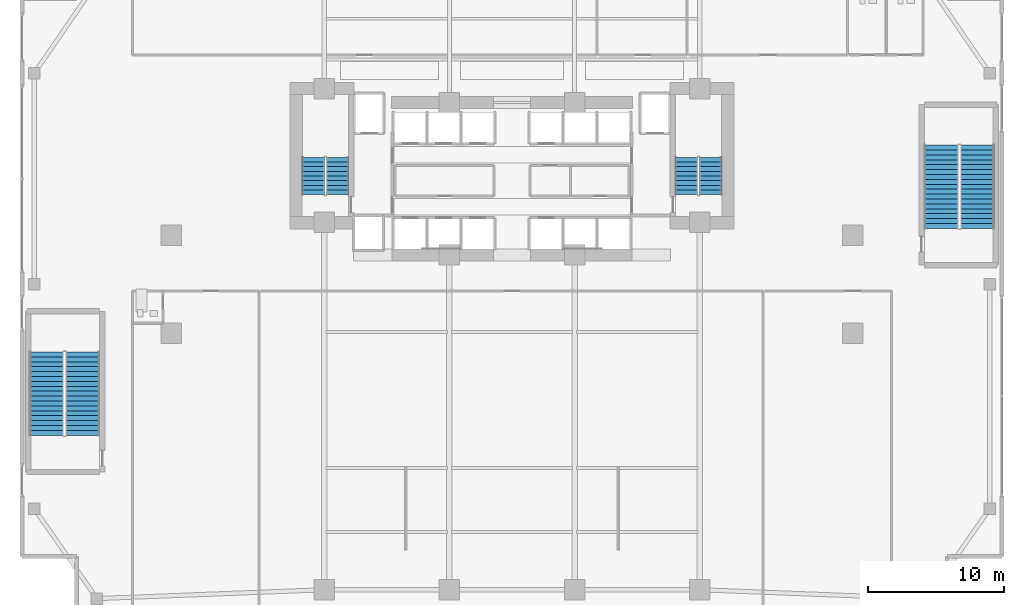
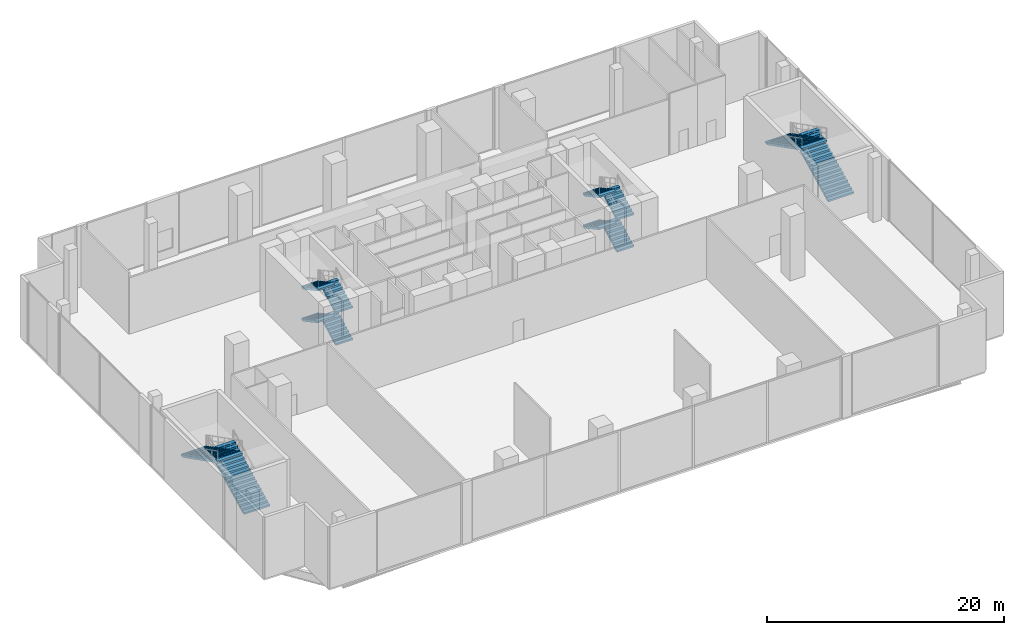
# One storey, part 26 of 30: 12 stair flights, 4 elements without a shape of their own.
"""IFC4 building model written with IfcOpenShell, lengths in metres."""

from ifc_helpers import new_model, si_unit, direction, frame, origin, place, context, subcontext, project, spatial, polyline, outline, extrude, material, layer, layer_set, type_object, element, aggregate, save


model = new_model("IFC4")

# Units and contexts
model_context = context("Model", 3, precision=1e-05, world=origin(), true_north=direction((0.0, 1.0)))
body_context = subcontext(model_context, "Body", "Model", "MODEL_VIEW")
ifc_project = project(units=[si_unit("LENGTHUNIT", "METRE"), si_unit("AREAUNIT", "SQUARE_METRE"), si_unit("VOLUMEUNIT", "CUBIC_METRE"), si_unit("PLANEANGLEUNIT", "RADIAN"), si_unit("MASSUNIT", "GRAM", prefix="KILO")], contexts=[model_context])

# Site, building, storey
site_placement = place(None, origin())
site = spatial("IfcSite", under=ifc_project, at=site_placement, CompositionType="ELEMENT")
building_placement = place(site_placement, origin())
building = spatial("IfcBuilding", under=site, at=building_placement, Name="Zuhayl Quay Hotel", CompositionType="ELEMENT")
storey_placement = place(building_placement, frame((0.0, 0.0, 11.39990234375)))
storey = spatial("IfcBuildingStorey", under=building, at=storey_placement, Name="L02", CompositionType="ELEMENT", Elevation=11.39990234375)

# Stair, stair flights
ifc_material = material(Name="Concrete C45/55", Category="concrete")
stair_type_1 = type_object("IfcStairType", Name="ST_DOGLEG_PODIUM", PredefinedType="HALF_TURN_STAIR", material=ifc_material)
stair_1_placement = place(storey_placement, origin())
stair_1 = element("IfcStair", 1, at=stair_1_placement, inside=storey, type_object=stair_type_1, Name="L02 Smokeproof Exit Stair ST3", PredefinedType="HALF_TURN_STAIR")
ifc_layer_1 = layer(ifc_material, 0.159912109375, Name="Concrete C45/55", Category="concrete")
ifc_layer_set_1 = layer_set([ifc_layer_1], Name="Concrete C45/55")
stair_flight_type_1 = type_object("IfcStairFlightType", Name="SF_CONC_160", PredefinedType="STRAIGHT", material=ifc_layer_set_1)
stair_flight_1_placement = place(storey_placement, frame((-31.550048828125, -11.10009765625, 0.0), z_axis=(0.0, 0.0, 1.0), x_axis=(0.0, 1.0, 0.0)))
stair_flight_1 = element("IfcStairFlight", 2, at=stair_flight_1_placement, type_object=stair_flight_type_1, Name="ST3 flight 1", NumberOfRisers=18, NumberOfTreads=17, PredefinedType="STRAIGHT", RiserHeight=0.183333333, TreadLength=0.36, context=body_context, shape_type="SweptSolid", body=[
    extrude(outline(polyline([(0.0, 0.0), (0.0, 0.183349609375), (0.360107421875, 0.183349609375), (0.360107421875, 0.36669921875), (0.719970703125, 0.36669921875), (0.719970703125, 0.550048828125), (1.080078125, 0.550048828125), (1.080078125, 0.7333984375), (1.43994140625, 0.7333984375), (1.43994140625, 0.916748046875), (1.800048828125, 0.916748046875), (1.800048828125, 1.10009765625), (2.159912109375, 1.10009765625), (2.159912109375, 1.283447265625), (2.52001953125, 1.283447265625), (2.52001953125, 1.466552734375), (2.8798828125, 1.466552734375), (2.8798828125, 1.64990234375), (3.239990234375, 1.64990234375), (3.239990234375, 1.833251953125), (3.60009765625, 1.833251953125), (3.60009765625, 2.0166015625), (3.9599609375, 2.0166015625), (3.9599609375, 2.199951171875), (4.320068359375, 2.199951171875), (4.320068359375, 2.38330078125), (4.679931640625, 2.38330078125), (4.679931640625, 2.566650390625), (5.0400390625, 2.566650390625), (5.0400390625, 2.75), (5.39990234375, 2.75), (5.39990234375, 2.933349609375), (5.760009765625, 2.933349609375), (5.760009765625, 3.11669921875), (6.1201171875, 3.11669921875), (6.1201171875, 3.300048828125), (6.1201171875, 2.948486328125), (0.330322265625, 0.0), (0.0, 0.0)])), frame((0.0, 1.25, 0.0), z_axis=(0.0, -1.0, 0.0), x_axis=(1.0, 0.0, 0.0)), (0.0, 0.0, 1.0), 2.5),
])
stair_flight_2_placement = place(storey_placement, frame((-34.199951171875, -4.97998046875, 3.300048828125), z_axis=(0.0, 0.0, 1.0), x_axis=(0.0, -1.0, 0.0)))
stair_flight_2 = element("IfcStairFlight", 3, at=stair_flight_2_placement, type_object=stair_flight_type_1, Name="ST3 flight 2", NumberOfRisers=18, NumberOfTreads=17, PredefinedType="STRAIGHT", RiserHeight=0.183333333, TreadLength=0.36, context=body_context, shape_type="SweptSolid", body=[
    extrude(outline(polyline([(0.0, 0.0), (0.0, 0.183349609375), (0.360107421875, 0.183349609375), (0.360107421875, 0.36669921875), (0.719970703125, 0.36669921875), (0.719970703125, 0.550048828125), (1.080078125, 0.550048828125), (1.080078125, 0.7333984375), (1.43994140625, 0.7333984375), (1.43994140625, 0.916748046875), (1.800048828125, 0.916748046875), (1.800048828125, 1.10009765625), (2.159912109375, 1.10009765625), (2.159912109375, 1.283447265625), (2.52001953125, 1.283447265625), (2.52001953125, 1.466552734375), (2.8798828125, 1.466552734375), (2.8798828125, 1.64990234375), (3.239990234375, 1.64990234375), (3.239990234375, 1.833251953125), (3.60009765625, 1.833251953125), (3.60009765625, 2.0166015625), (3.9599609375, 2.0166015625), (3.9599609375, 2.199951171875), (4.320068359375, 2.199951171875), (4.320068359375, 2.38330078125), (4.679931640625, 2.38330078125), (4.679931640625, 2.566650390625), (5.0400390625, 2.566650390625), (5.0400390625, 2.75), (5.39990234375, 2.75), (5.39990234375, 2.933349609375), (5.760009765625, 2.933349609375), (5.760009765625, 3.11669921875), (6.1201171875, 3.11669921875), (6.1201171875, 3.300048828125), (6.1201171875, 2.948486328125), (0.330322265625, 0.0), (0.0, 0.0)])), frame((0.0, 1.25, 0.0), z_axis=(0.0, -1.0, 0.0), x_axis=(1.0, 0.0, 0.0)), (0.0, 0.0, 1.0), 2.5),
])
aggregate(stair_1, [stair_flight_1, stair_flight_2])

stair_2_placement = place(storey_placement, origin())
stair_2 = element("IfcStair", 4, at=stair_2_placement, inside=storey, type_object=stair_type_1, Name="L02 Smokeproof Exit Stair ST4", PredefinedType="HALF_TURN_STAIR")
stair_flight_3_placement = place(storey_placement, frame((34.199951171875, 4.10009765625, 0.0), z_axis=(0.0, 0.0, 1.0), x_axis=(0.0, 1.0, 0.0)))
stair_flight_3 = element("IfcStairFlight", 5, at=stair_flight_3_placement, type_object=stair_flight_type_1, Name="ST4 flight 1", NumberOfRisers=18, NumberOfTreads=17, PredefinedType="STRAIGHT", RiserHeight=0.183333333, TreadLength=0.36, context=body_context, shape_type="SweptSolid", body=[
    extrude(outline(polyline([(0.0, 0.0), (0.0, 0.183349609375), (0.360107421875, 0.183349609375), (0.360107421875, 0.36669921875), (0.719970703125, 0.36669921875), (0.719970703125, 0.550048828125), (1.080078125, 0.550048828125), (1.080078125, 0.7333984375), (1.43994140625, 0.7333984375), (1.43994140625, 0.916748046875), (1.800048828125, 0.916748046875), (1.800048828125, 1.10009765625), (2.159912109375, 1.10009765625), (2.159912109375, 1.283447265625), (2.52001953125, 1.283447265625), (2.52001953125, 1.466552734375), (2.8798828125, 1.466552734375), (2.8798828125, 1.64990234375), (3.239990234375, 1.64990234375), (3.239990234375, 1.833251953125), (3.60009765625, 1.833251953125), (3.60009765625, 2.0166015625), (3.9599609375, 2.0166015625), (3.9599609375, 2.199951171875), (4.320068359375, 2.199951171875), (4.320068359375, 2.38330078125), (4.679931640625, 2.38330078125), (4.679931640625, 2.566650390625), (5.0400390625, 2.566650390625), (5.0400390625, 2.75), (5.39990234375, 2.75), (5.39990234375, 2.933349609375), (5.760009765625, 2.933349609375), (5.760009765625, 3.11669921875), (6.1201171875, 3.11669921875), (6.1201171875, 3.300048828125), (6.1201171875, 2.948486328125), (0.330322265625, 0.0), (0.0, 0.0)])), frame((0.0, 1.25, 0.0), z_axis=(0.0, -1.0, 0.0), x_axis=(1.0, 0.0, 0.0)), (0.0, 0.0, 1.0), 2.5),
])
stair_flight_4_placement = place(storey_placement, frame((31.550048828125, 10.219970703125, 3.300048828125), z_axis=(0.0, 0.0, 1.0), x_axis=(0.0, -1.0, 0.0)))
stair_flight_4 = element("IfcStairFlight", 6, at=stair_flight_4_placement, type_object=stair_flight_type_1, Name="ST4 flight 2", NumberOfRisers=18, NumberOfTreads=17, PredefinedType="STRAIGHT", RiserHeight=0.183333333, TreadLength=0.36, context=body_context, shape_type="SweptSolid", body=[
    extrude(outline(polyline([(0.0, 0.0), (0.0, 0.183349609375), (0.360107421875, 0.183349609375), (0.360107421875, 0.36669921875), (0.719970703125, 0.36669921875), (0.719970703125, 0.550048828125), (1.080078125, 0.550048828125), (1.080078125, 0.7333984375), (1.43994140625, 0.7333984375), (1.43994140625, 0.916748046875), (1.800048828125, 0.916748046875), (1.800048828125, 1.10009765625), (2.159912109375, 1.10009765625), (2.159912109375, 1.283447265625), (2.52001953125, 1.283447265625), (2.52001953125, 1.466552734375), (2.8798828125, 1.466552734375), (2.8798828125, 1.64990234375), (3.239990234375, 1.64990234375), (3.239990234375, 1.833251953125), (3.60009765625, 1.833251953125), (3.60009765625, 2.0166015625), (3.9599609375, 2.0166015625), (3.9599609375, 2.199951171875), (4.320068359375, 2.199951171875), (4.320068359375, 2.38330078125), (4.679931640625, 2.38330078125), (4.679931640625, 2.566650390625), (5.0400390625, 2.566650390625), (5.0400390625, 2.75), (5.39990234375, 2.75), (5.39990234375, 2.933349609375), (5.760009765625, 2.933349609375), (5.760009765625, 3.11669921875), (6.1201171875, 3.11669921875), (6.1201171875, 3.300048828125), (6.1201171875, 2.948486328125), (0.330322265625, 0.0), (0.0, 0.0)])), frame((0.0, 1.25, 0.0), z_axis=(0.0, -1.0, 0.0), x_axis=(1.0, 0.0, 0.0)), (0.0, 0.0, 1.0), 2.5),
])
aggregate(stair_2, [stair_flight_3, stair_flight_4])

stair_type_2 = type_object("IfcStairType", Name="ST_DOGLEG_TOWER", PredefinedType="HALF_TURN_STAIR", material=ifc_material)
stair_3_placement = place(storey_placement, origin())
stair_3 = element("IfcStair", 7, at=stair_3_placement, inside=storey, type_object=stair_type_2, Name="L02 Smokeproof Exit Stair ST1", PredefinedType="HALF_TURN_STAIR")
ifc_layer_2 = layer(ifc_material, 0.159912109375, Name="Concrete C45/55", Category="concrete")
ifc_layer_set_2 = layer_set([ifc_layer_2], Name="Concrete C45/55")
stair_flight_type_2 = type_object("IfcStairFlightType", Name="SF_CONC_164", PredefinedType="STRAIGHT", material=ifc_layer_set_2)
stair_flight_5_placement = place(storey_placement, frame((-12.820068359375, 6.590087890625, 0.0), z_axis=(0.0, 0.0, 1.0), x_axis=(0.0, 1.0, 0.0)))
stair_flight_5 = element("IfcStairFlight", 8, at=stair_flight_5_placement, type_object=stair_flight_type_2, Name="ST1 flight 1", NumberOfRisers=9, NumberOfTreads=8, PredefinedType="STRAIGHT", RiserHeight=0.183333333, TreadLength=0.34, context=body_context, shape_type="SweptSolid", body=[
    extrude(outline(polyline([(0.0, 0.0), (0.0, 0.183349609375), (0.340087890625, 0.183349609375), (0.340087890625, 0.36669921875), (0.679931640625, 0.36669921875), (0.679931640625, 0.550048828125), (1.02001953125, 0.550048828125), (1.02001953125, 0.7333984375), (1.360107421875, 0.7333984375), (1.360107421875, 0.916748046875), (1.699951171875, 0.916748046875), (1.699951171875, 1.10009765625), (2.0400390625, 1.10009765625), (2.0400390625, 1.283447265625), (2.3798828125, 1.283447265625), (2.3798828125, 1.466552734375), (2.719970703125, 1.466552734375), (2.719970703125, 1.64990234375), (2.719970703125, 1.29638671875), (0.31591796875, 0.0), (0.0, 0.0)])), frame((0.0, 0.81982421875, 0.0), z_axis=(0.0, -1.0, 0.0), x_axis=(1.0, 0.0, 0.0)), (0.0, 0.0, 1.0), 1.639892578125),
])
stair_flight_6_placement = place(storey_placement, frame((-14.610107421875, 9.31005859375, 1.650146484375), z_axis=(0.0, 0.0, 1.0), x_axis=(0.0, -1.0, 0.0)))
stair_flight_6 = element("IfcStairFlight", 9, at=stair_flight_6_placement, type_object=stair_flight_type_2, Name="ST1 flight 2", NumberOfRisers=9, NumberOfTreads=8, PredefinedType="STRAIGHT", RiserHeight=0.183333333, TreadLength=0.34, context=body_context, shape_type="SweptSolid", body=[
    extrude(outline(polyline([(0.0, 0.0), (0.0, 0.183349609375), (0.340087890625, 0.183349609375), (0.340087890625, 0.36669921875), (0.679931640625, 0.36669921875), (0.679931640625, 0.550048828125), (1.02001953125, 0.550048828125), (1.02001953125, 0.7333984375), (1.360107421875, 0.7333984375), (1.360107421875, 0.916748046875), (1.699951171875, 0.916748046875), (1.699951171875, 1.10009765625), (2.0400390625, 1.10009765625), (2.0400390625, 1.283447265625), (2.3798828125, 1.283447265625), (2.3798828125, 1.466552734375), (2.719970703125, 1.466552734375), (2.719970703125, 1.64990234375), (2.719970703125, 1.29638671875), (0.31591796875, 0.0), (0.0, 0.0)])), frame((0.0, 0.81982421875, 0.0), z_axis=(0.0, -1.0, 0.0), x_axis=(1.0, 0.0, 0.0)), (0.0, 0.0, 1.0), 1.639892578125),
])
stair_flight_7_placement = place(storey_placement, frame((-12.820068359375, 6.590087890625, 3.300048828125), z_axis=(0.0, 0.0, 1.0), x_axis=(0.0, 1.0, 0.0)))
stair_flight_7 = element("IfcStairFlight", 10, at=stair_flight_7_placement, type_object=stair_flight_type_2, Name="ST1 flight 3", NumberOfRisers=9, NumberOfTreads=8, PredefinedType="STRAIGHT", RiserHeight=0.183333333, TreadLength=0.34, context=body_context, shape_type="SweptSolid", body=[
    extrude(outline(polyline([(0.0, 0.0), (0.0, 0.183349609375), (0.340087890625, 0.183349609375), (0.340087890625, 0.36669921875), (0.679931640625, 0.36669921875), (0.679931640625, 0.550048828125), (1.02001953125, 0.550048828125), (1.02001953125, 0.7333984375), (1.360107421875, 0.7333984375), (1.360107421875, 0.916748046875), (1.699951171875, 0.916748046875), (1.699951171875, 1.10009765625), (2.0400390625, 1.10009765625), (2.0400390625, 1.283447265625), (2.3798828125, 1.283447265625), (2.3798828125, 1.466552734375), (2.719970703125, 1.466552734375), (2.719970703125, 1.64990234375), (2.719970703125, 1.29638671875), (0.31591796875, 0.0), (0.0, 0.0)])), frame((0.0, 0.81982421875, 0.0), z_axis=(0.0, -1.0, 0.0), x_axis=(1.0, 0.0, 0.0)), (0.0, 0.0, 1.0), 1.639892578125),
])
stair_flight_8_placement = place(storey_placement, frame((-14.610107421875, 9.31005859375, 4.9501953125), z_axis=(0.0, 0.0, 1.0), x_axis=(0.0, -1.0, 0.0)))
stair_flight_8 = element("IfcStairFlight", 11, at=stair_flight_8_placement, type_object=stair_flight_type_2, Name="ST1 flight 4", NumberOfRisers=9, NumberOfTreads=8, PredefinedType="STRAIGHT", RiserHeight=0.183333333, TreadLength=0.34, context=body_context, shape_type="SweptSolid", body=[
    extrude(outline(polyline([(0.0, 0.0), (0.0, 0.183349609375), (0.340087890625, 0.183349609375), (0.340087890625, 0.36669921875), (0.679931640625, 0.36669921875), (0.679931640625, 0.550048828125), (1.02001953125, 0.550048828125), (1.02001953125, 0.7333984375), (1.360107421875, 0.7333984375), (1.360107421875, 0.916748046875), (1.699951171875, 0.916748046875), (1.699951171875, 1.10009765625), (2.0400390625, 1.10009765625), (2.0400390625, 1.283447265625), (2.3798828125, 1.283447265625), (2.3798828125, 1.466552734375), (2.719970703125, 1.466552734375), (2.719970703125, 1.64990234375), (2.719970703125, 1.29638671875), (0.31591796875, 0.0), (0.0, 0.0)])), frame((0.0, 0.81982421875, 0.0), z_axis=(0.0, -1.0, 0.0), x_axis=(1.0, 0.0, 0.0)), (0.0, 0.0, 1.0), 1.639892578125),
])
aggregate(stair_3, [stair_flight_5, stair_flight_6, stair_flight_7, stair_flight_8])

stair_4_placement = place(storey_placement, origin())
stair_4 = element("IfcStair", 12, at=stair_4_placement, inside=storey, type_object=stair_type_2, Name="L02 Smokeproof Exit Stair ST2", PredefinedType="HALF_TURN_STAIR")
stair_flight_9_placement = place(storey_placement, frame((14.610107421875, 6.590087890625, 0.0), z_axis=(0.0, 0.0, 1.0), x_axis=(0.0, 1.0, 0.0)))
stair_flight_9 = element("IfcStairFlight", 13, at=stair_flight_9_placement, type_object=stair_flight_type_2, Name="ST2 flight 1", NumberOfRisers=9, NumberOfTreads=8, PredefinedType="STRAIGHT", RiserHeight=0.183333333, TreadLength=0.34, context=body_context, shape_type="SweptSolid", body=[
    extrude(outline(polyline([(0.0, 0.0), (0.0, 0.183349609375), (0.340087890625, 0.183349609375), (0.340087890625, 0.36669921875), (0.679931640625, 0.36669921875), (0.679931640625, 0.550048828125), (1.02001953125, 0.550048828125), (1.02001953125, 0.7333984375), (1.360107421875, 0.7333984375), (1.360107421875, 0.916748046875), (1.699951171875, 0.916748046875), (1.699951171875, 1.10009765625), (2.0400390625, 1.10009765625), (2.0400390625, 1.283447265625), (2.3798828125, 1.283447265625), (2.3798828125, 1.466552734375), (2.719970703125, 1.466552734375), (2.719970703125, 1.64990234375), (2.719970703125, 1.29638671875), (0.31591796875, 0.0), (0.0, 0.0)])), frame((0.0, 0.81982421875, 0.0), z_axis=(0.0, -1.0, 0.0), x_axis=(1.0, 0.0, 0.0)), (0.0, 0.0, 1.0), 1.639892578125),
])
stair_flight_10_placement = place(storey_placement, frame((12.820068359375, 9.31005859375, 1.650146484375), z_axis=(0.0, 0.0, 1.0), x_axis=(0.0, -1.0, 0.0)))
stair_flight_10 = element("IfcStairFlight", 14, at=stair_flight_10_placement, type_object=stair_flight_type_2, Name="ST2 flight 2", NumberOfRisers=9, NumberOfTreads=8, PredefinedType="STRAIGHT", RiserHeight=0.183333333, TreadLength=0.34, context=body_context, shape_type="SweptSolid", body=[
    extrude(outline(polyline([(0.0, 0.0), (0.0, 0.183349609375), (0.340087890625, 0.183349609375), (0.340087890625, 0.36669921875), (0.679931640625, 0.36669921875), (0.679931640625, 0.550048828125), (1.02001953125, 0.550048828125), (1.02001953125, 0.7333984375), (1.360107421875, 0.7333984375), (1.360107421875, 0.916748046875), (1.699951171875, 0.916748046875), (1.699951171875, 1.10009765625), (2.0400390625, 1.10009765625), (2.0400390625, 1.283447265625), (2.3798828125, 1.283447265625), (2.3798828125, 1.466552734375), (2.719970703125, 1.466552734375), (2.719970703125, 1.64990234375), (2.719970703125, 1.29638671875), (0.31591796875, 0.0), (0.0, 0.0)])), frame((0.0, 0.81982421875, 0.0), z_axis=(0.0, -1.0, 0.0), x_axis=(1.0, 0.0, 0.0)), (0.0, 0.0, 1.0), 1.639892578125),
])
stair_flight_11_placement = place(storey_placement, frame((14.610107421875, 6.590087890625, 3.300048828125), z_axis=(0.0, 0.0, 1.0), x_axis=(0.0, 1.0, 0.0)))
stair_flight_11 = element("IfcStairFlight", 15, at=stair_flight_11_placement, type_object=stair_flight_type_2, Name="ST2 flight 3", NumberOfRisers=9, NumberOfTreads=8, PredefinedType="STRAIGHT", RiserHeight=0.183333333, TreadLength=0.34, context=body_context, shape_type="SweptSolid", body=[
    extrude(outline(polyline([(0.0, 0.0), (0.0, 0.183349609375), (0.340087890625, 0.183349609375), (0.340087890625, 0.36669921875), (0.679931640625, 0.36669921875), (0.679931640625, 0.550048828125), (1.02001953125, 0.550048828125), (1.02001953125, 0.7333984375), (1.360107421875, 0.7333984375), (1.360107421875, 0.916748046875), (1.699951171875, 0.916748046875), (1.699951171875, 1.10009765625), (2.0400390625, 1.10009765625), (2.0400390625, 1.283447265625), (2.3798828125, 1.283447265625), (2.3798828125, 1.466552734375), (2.719970703125, 1.466552734375), (2.719970703125, 1.64990234375), (2.719970703125, 1.29638671875), (0.31591796875, 0.0), (0.0, 0.0)])), frame((0.0, 0.81982421875, 0.0), z_axis=(0.0, -1.0, 0.0), x_axis=(1.0, 0.0, 0.0)), (0.0, 0.0, 1.0), 1.639892578125),
])
stair_flight_12_placement = place(storey_placement, frame((12.820068359375, 9.31005859375, 4.9501953125), z_axis=(0.0, 0.0, 1.0), x_axis=(0.0, -1.0, 0.0)))
stair_flight_12 = element("IfcStairFlight", 16, at=stair_flight_12_placement, type_object=stair_flight_type_2, Name="ST2 flight 4", NumberOfRisers=9, NumberOfTreads=8, PredefinedType="STRAIGHT", RiserHeight=0.183333333, TreadLength=0.34, context=body_context, shape_type="SweptSolid", body=[
    extrude(outline(polyline([(0.0, 0.0), (0.0, 0.183349609375), (0.340087890625, 0.183349609375), (0.340087890625, 0.36669921875), (0.679931640625, 0.36669921875), (0.679931640625, 0.550048828125), (1.02001953125, 0.550048828125), (1.02001953125, 0.7333984375), (1.360107421875, 0.7333984375), (1.360107421875, 0.916748046875), (1.699951171875, 0.916748046875), (1.699951171875, 1.10009765625), (2.0400390625, 1.10009765625), (2.0400390625, 1.283447265625), (2.3798828125, 1.283447265625), (2.3798828125, 1.466552734375), (2.719970703125, 1.466552734375), (2.719970703125, 1.64990234375), (2.719970703125, 1.29638671875), (0.31591796875, 0.0), (0.0, 0.0)])), frame((0.0, 0.81982421875, 0.0), z_axis=(0.0, -1.0, 0.0), x_axis=(1.0, 0.0, 0.0)), (0.0, 0.0, 1.0), 1.639892578125),
])
aggregate(stair_4, [stair_flight_9, stair_flight_10, stair_flight_11, stair_flight_12])

save(model, "model.ifc")
